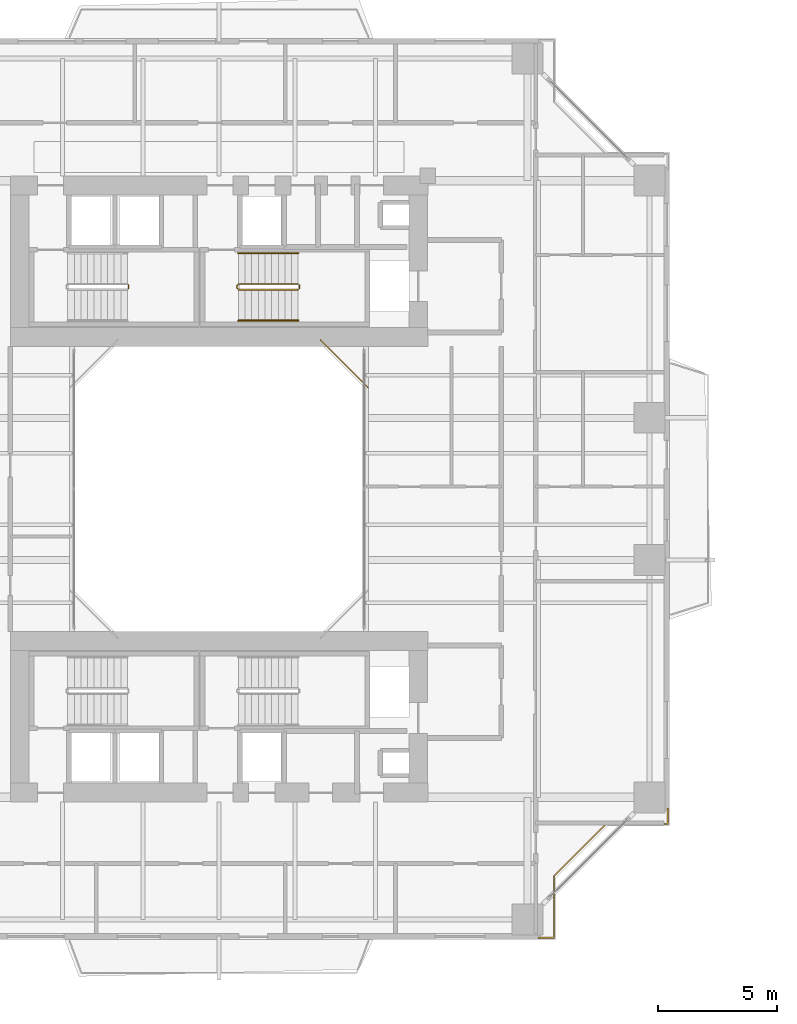
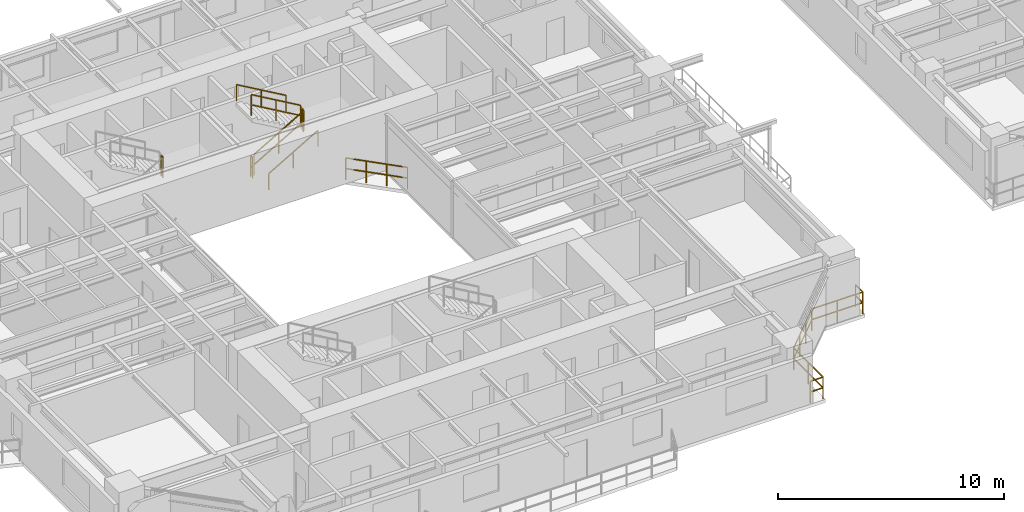
# One storey, part 21 of 23: 9 railings.
"""IFC4 building model written with IfcOpenShell, lengths in metres."""

from ifc_helpers import new_model, si_unit, direction, frame, origin, origin_2d, place, context, subcontext, project, spatial, rectangle, extrude, material, type_object, element, save


model = new_model("IFC4")

# Units and contexts
model_context = context("Model", 3, precision=1e-05, world=origin(), true_north=direction((0.0, 1.0)))
body_context = subcontext(model_context, "Body", "Model", "MODEL_VIEW")
ifc_project = project(units=[si_unit("LENGTHUNIT", "METRE"), si_unit("AREAUNIT", "SQUARE_METRE"), si_unit("VOLUMEUNIT", "CUBIC_METRE"), si_unit("PLANEANGLEUNIT", "RADIAN"), si_unit("MASSUNIT", "GRAM", prefix="KILO"), si_unit("THERMODYNAMICTEMPERATUREUNIT", "KELVIN"), si_unit("POWERUNIT", "WATT")], contexts=[model_context])

# Site, building, storey
site_placement = place(None, origin())
site = spatial("IfcSite", under=ifc_project, at=site_placement, CompositionType="ELEMENT")
building_placement = place(site_placement, origin())
building = spatial("IfcBuilding", under=site, at=building_placement, Name="Qiaomeng Ring Towers", CompositionType="ELEMENT")
storey_placement = place(building_placement, frame((0.0, 0.0, 39.25)))
storey = spatial("IfcBuildingStorey", under=building, at=storey_placement, Name="L10", CompositionType="ELEMENT", Elevation=39.25)

# Railings
ifc_material_1 = material(Name="Low-E pale-green laminated safety glass", Category="glass")
railing_type_1 = type_object("IfcRailingType", Name="ARC-RL-BAL1", PredefinedType="BALUSTRADE", material=ifc_material_1)
railing_1_placement = place(storey_placement, frame((25.280029296875, 27.280029296875, 0.0)))
element("IfcRailing", 1, at=railing_1_placement, inside=storey, type_object=railing_type_1, Name="L10 Balustrade ARC-BAL-WELL1-L10-2", PredefinedType="BALUSTRADE", context=body_context, shape_type="SweptSolid", body=[
    extrude(rectangle(XDim=0.048095703125, YDim=0.048095703125, at=origin_2d()), frame((0.0, 0.0, 1.17578125), z_axis=(-0.707106781187, 0.707106781187, 0.0), x_axis=(-0.707106781187, -0.707106781187, 0.0)), (0.0, 0.0, 1.0), 2.828369140625),
    extrude(rectangle(XDim=0.048095703125, YDim=0.048095703125, at=origin_2d()), frame((0.0, 0.0, 0.60009765625), z_axis=(-0.707106781187, 0.707106781187, 0.0), x_axis=(-0.707106781187, -0.707106781187, 0.0)), (0.0, 0.0, 1.0), 2.828369140625),
    extrude(rectangle(XDim=0.0419921875, YDim=0.0419921875, at=origin_2d()), origin(), (0.0, 0.0, 1.0), 1.15185546875),
    extrude(rectangle(XDim=0.0419921875, YDim=0.0419921875, at=origin_2d()), frame((-0.666748046875, 0.666748046875, 0.0)), (0.0, 0.0, 1.0), 1.15185546875),
    extrude(rectangle(XDim=0.0419921875, YDim=0.0419921875, at=origin_2d()), frame((-1.333251953125, 1.333251953125, 0.0)), (0.0, 0.0, 1.0), 1.15185546875),
    extrude(rectangle(XDim=0.0419921875, YDim=0.0419921875, at=origin_2d()), frame((-2.0, 2.0, 0.0)), (0.0, 0.0, 1.0), 1.15185546875),
])
railing_2_placement = place(storey_placement, frame((32.469970703125, 4.080078125, 0.0)))
element("IfcRailing", 2, at=railing_2_placement, inside=storey, type_object=railing_type_1, Name="L10 Balustrade ARC-BAL-NOTCH1-L10-SE", PredefinedType="BALUSTRADE", context=body_context, shape_type="SweptSolid", body=[
    extrude(rectangle(XDim=0.048095703125, YDim=0.048095703125, at=origin_2d()), frame((0.0, 0.0, 1.17578125), z_axis=(1.0, 0.0, 0.0), x_axis=(0.0, 1.0, 0.0)), (0.0, 0.0, 1.0), 0.650146484375),
    extrude(rectangle(XDim=0.048095703125, YDim=0.048095703125, at=origin_2d()), frame((0.0, 0.0, 0.60009765625), z_axis=(1.0, 0.0, 0.0), x_axis=(0.0, 1.0, 0.0)), (0.0, 0.0, 1.0), 0.650146484375),
    extrude(rectangle(XDim=0.048095703125, YDim=0.048095703125, at=origin_2d()), frame((0.650146484375, 0.0, 1.17578125), z_axis=(0.0, 1.0, 0.0), x_axis=(-1.0, 0.0, 0.0)), (0.0, 0.0, 1.0), 2.599853515625),
    extrude(rectangle(XDim=0.048095703125, YDim=0.048095703125, at=origin_2d()), frame((0.650146484375, 0.0, 0.60009765625), z_axis=(0.0, 1.0, 0.0), x_axis=(-1.0, 0.0, 0.0)), (0.0, 0.0, 1.0), 2.599853515625),
    extrude(rectangle(XDim=0.048095703125, YDim=0.048095703125, at=origin_2d()), frame((0.650146484375, 2.599853515625, 1.17578125), z_axis=(0.707106781187, 0.707106781187, 0.0), x_axis=(-0.707106781187, 0.707106781187, 0.0)), (0.0, 0.0, 1.0), 3.111083984375),
    extrude(rectangle(XDim=0.048095703125, YDim=0.048095703125, at=origin_2d()), frame((0.650146484375, 2.599853515625, 0.60009765625), z_axis=(0.707106781187, 0.707106781187, 0.0), x_axis=(-0.707106781187, 0.707106781187, 0.0)), (0.0, 0.0, 1.0), 3.111083984375),
    extrude(rectangle(XDim=0.048095703125, YDim=0.048095703125, at=origin_2d()), frame((2.85009765625, 4.7998046875, 1.17578125), z_axis=(1.0, 0.0, 0.0), x_axis=(0.0, 1.0, 0.0)), (0.0, 0.0, 1.0), 2.599853515625),
    extrude(rectangle(XDim=0.048095703125, YDim=0.048095703125, at=origin_2d()), frame((2.85009765625, 4.7998046875, 0.60009765625), z_axis=(1.0, 0.0, 0.0), x_axis=(0.0, 1.0, 0.0)), (0.0, 0.0, 1.0), 2.599853515625),
    extrude(rectangle(XDim=0.048095703125, YDim=0.048095703125, at=origin_2d()), frame((5.449951171875, 4.7998046875, 1.17578125), z_axis=(0.0, 1.0, 0.0), x_axis=(-1.0, 0.0, 0.0)), (0.0, 0.0, 1.0), 0.650146484375),
    extrude(rectangle(XDim=0.048095703125, YDim=0.048095703125, at=origin_2d()), frame((5.449951171875, 4.7998046875, 0.60009765625), z_axis=(0.0, 1.0, 0.0), x_axis=(-1.0, 0.0, 0.0)), (0.0, 0.0, 1.0), 0.650146484375),
    extrude(rectangle(XDim=0.0419921875, YDim=0.0419921875, at=origin_2d()), origin(), (0.0, 0.0, 1.0), 1.15185546875),
    extrude(rectangle(XDim=0.0419921875, YDim=0.0419921875, at=origin_2d()), frame((0.650146484375, 0.0, 0.0)), (0.0, 0.0, 1.0), 1.15185546875),
    extrude(rectangle(XDim=0.0419921875, YDim=0.0419921875, at=origin_2d()), frame((0.650146484375, 1.2998046875, 0.0)), (0.0, 0.0, 1.0), 1.15185546875),
    extrude(rectangle(XDim=0.0419921875, YDim=0.0419921875, at=origin_2d()), frame((0.650146484375, 2.599853515625, 0.0)), (0.0, 0.0, 1.0), 1.15185546875),
    extrude(rectangle(XDim=0.0419921875, YDim=0.0419921875, at=origin_2d()), frame((1.383544921875, 3.333251953125, 0.0)), (0.0, 0.0, 1.0), 1.15185546875),
    extrude(rectangle(XDim=0.0419921875, YDim=0.0419921875, at=origin_2d()), frame((2.11669921875, 4.06640625, 0.0)), (0.0, 0.0, 1.0), 1.15185546875),
    extrude(rectangle(XDim=0.0419921875, YDim=0.0419921875, at=origin_2d()), frame((2.85009765625, 4.7998046875, 0.0)), (0.0, 0.0, 1.0), 1.15185546875),
    extrude(rectangle(XDim=0.0419921875, YDim=0.0419921875, at=origin_2d()), frame((4.14990234375, 4.7998046875, 0.0)), (0.0, 0.0, 1.0), 1.15185546875),
    extrude(rectangle(XDim=0.0419921875, YDim=0.0419921875, at=origin_2d()), frame((5.449951171875, 4.7998046875, 0.0)), (0.0, 0.0, 1.0), 1.15185546875),
    extrude(rectangle(XDim=0.0419921875, YDim=0.0419921875, at=origin_2d()), frame((5.449951171875, 5.449951171875, 0.0)), (0.0, 0.0, 1.0), 1.15185546875),
])
ifc_material_2 = material(Name="Galvanised steel", Category="steel")
railing_type_2 = type_object("IfcRailingType", Name="ARC-RL-GUARD", PredefinedType="GUARDRAIL", material=ifc_material_2)
railing_3_placement = place(storey_placement, frame((15.18994140625, 31.449951171875, 1.625)))
element("IfcRailing", 3, at=railing_3_placement, inside=storey, type_object=railing_type_2, Name="L10 ST1 stair guard 2", PredefinedType="GUARDRAIL", context=body_context, shape_type="SweptSolid", body=[
    extrude(rectangle(XDim=0.048095703125, YDim=0.048095703125, at=origin_2d()), frame((0.0, 0.0, 1.1259765625), z_axis=(0.0, 1.0, 0.0), x_axis=(-1.0, 0.0, 0.0)), (0.0, 0.0, 1.0), 0.14013671875),
    extrude(rectangle(XDim=0.048095703125, YDim=0.048095703125, at=origin_2d()), frame((0.0, 0.0, 0.574951171875), z_axis=(0.0, 1.0, 0.0), x_axis=(-1.0, 0.0, 0.0)), (0.0, 0.0, 1.0), 0.14013671875),
    extrude(rectangle(XDim=0.0419921875, YDim=0.0419921875, at=origin_2d()), origin(), (0.0, 0.0, 1.0), 1.101806640625),
    extrude(rectangle(XDim=0.0419921875, YDim=0.0419921875, at=origin_2d()), frame((0.0, 0.14013671875, 0.0)), (0.0, 0.0, 1.0), 1.101806640625),
])
railing_4_placement = place(storey_placement, frame((19.820068359375, 31.39990234375, 0.16259765625)))
element("IfcRailing", 4, at=railing_4_placement, inside=storey, type_object=railing_type_2, Name="L10 ST2 stair guard 1", PredefinedType="GUARDRAIL", context=body_context, shape_type="SweptSolid", body=[
    extrude(rectangle(XDim=0.048095703125, YDim=0.048095703125, at=origin_2d()), frame((0.0, 0.0, 1.1259765625), z_axis=(0.864913338283, 0.0, 0.50192122615), x_axis=(0.0, 1.0, 0.0)), (0.0, 0.0, 1.0), 2.91357421875),
    extrude(rectangle(XDim=0.048095703125, YDim=0.048095703125, at=origin_2d()), frame((0.0, 0.0, 0.574951171875), z_axis=(0.864913338283, 0.0, 0.50192122615), x_axis=(0.0, 1.0, 0.0)), (0.0, 0.0, 1.0), 2.91357421875),
    extrude(rectangle(XDim=0.0419921875, YDim=0.0419921875, at=origin_2d()), origin(), (0.0, 0.0, 1.0), 1.101806640625),
    extrude(rectangle(XDim=0.0419921875, YDim=0.0419921875, at=origin_2d()), frame((1.260009765625, 0.0, 0.731201171875)), (0.0, 0.0, 1.0), 1.101806640625),
    extrude(rectangle(XDim=0.0419921875, YDim=0.0419921875, at=origin_2d()), frame((2.52001953125, 0.0, 1.46240234375)), (0.0, 0.0, 1.0), 1.101806640625),
])
railing_5_placement = place(storey_placement, frame((22.389892578125, 31.449951171875, 1.625)))
element("IfcRailing", 5, at=railing_5_placement, inside=storey, type_object=railing_type_2, Name="L10 ST2 stair guard 2", PredefinedType="GUARDRAIL", context=body_context, shape_type="SweptSolid", body=[
    extrude(rectangle(XDim=0.048095703125, YDim=0.048095703125, at=origin_2d()), frame((0.0, 0.0, 1.1259765625), z_axis=(0.0, 1.0, 0.0), x_axis=(-1.0, 0.0, 0.0)), (0.0, 0.0, 1.0), 0.14013671875),
    extrude(rectangle(XDim=0.048095703125, YDim=0.048095703125, at=origin_2d()), frame((0.0, 0.0, 0.574951171875), z_axis=(0.0, 1.0, 0.0), x_axis=(-1.0, 0.0, 0.0)), (0.0, 0.0, 1.0), 0.14013671875),
    extrude(rectangle(XDim=0.0419921875, YDim=0.0419921875, at=origin_2d()), origin(), (0.0, 0.0, 1.0), 1.101806640625),
    extrude(rectangle(XDim=0.0419921875, YDim=0.0419921875, at=origin_2d()), frame((0.0, 0.14013671875, 0.0)), (0.0, 0.0, 1.0), 1.101806640625),
])
railing_6_placement = place(storey_placement, frame((22.340087890625, 31.639892578125, 1.78759765625)))
element("IfcRailing", 6, at=railing_6_placement, inside=storey, type_object=railing_type_2, Name="L10 ST2 stair guard 3", PredefinedType="GUARDRAIL", context=body_context, shape_type="SweptSolid", body=[
    extrude(rectangle(XDim=0.048095703125, YDim=0.048095703125, at=origin_2d()), frame((0.0, 0.0, 1.1259765625), z_axis=(-0.864913338283, 0.0, 0.50192122615), x_axis=(0.0, -1.0, 0.0)), (0.0, 0.0, 1.0), 2.91357421875),
    extrude(rectangle(XDim=0.048095703125, YDim=0.048095703125, at=origin_2d()), frame((0.0, 0.0, 0.574951171875), z_axis=(-0.864913338283, 0.0, 0.50192122615), x_axis=(0.0, -1.0, 0.0)), (0.0, 0.0, 1.0), 2.91357421875),
    extrude(rectangle(XDim=0.0419921875, YDim=0.0419921875, at=origin_2d()), origin(), (0.0, 0.0, 1.0), 1.101806640625),
    extrude(rectangle(XDim=0.0419921875, YDim=0.0419921875, at=origin_2d()), frame((-1.260009765625, 0.0, 0.731201171875)), (0.0, 0.0, 1.0), 1.101806640625),
    extrude(rectangle(XDim=0.0419921875, YDim=0.0419921875, at=origin_2d()), frame((-2.52001953125, 0.0, 1.46240234375)), (0.0, 0.0, 1.0), 1.101806640625),
])
railing_7_placement = place(storey_placement, frame((19.77001953125, 31.449951171875, 0.0)))
element("IfcRailing", 7, at=railing_7_placement, inside=storey, type_object=railing_type_2, Name="L10 ST2 stair guard 4", PredefinedType="GUARDRAIL", context=body_context, shape_type="SweptSolid", body=[
    extrude(rectangle(XDim=0.048095703125, YDim=0.048095703125, at=origin_2d()), frame((0.0, 0.0, 1.1259765625), z_axis=(0.0, 1.0, 0.0), x_axis=(-1.0, 0.0, 0.0)), (0.0, 0.0, 1.0), 0.14013671875),
    extrude(rectangle(XDim=0.048095703125, YDim=0.048095703125, at=origin_2d()), frame((0.0, 0.0, 0.574951171875), z_axis=(0.0, 1.0, 0.0), x_axis=(-1.0, 0.0, 0.0)), (0.0, 0.0, 1.0), 0.14013671875),
    extrude(rectangle(XDim=0.0419921875, YDim=0.0419921875, at=origin_2d()), origin(), (0.0, 0.0, 1.0), 1.101806640625),
    extrude(rectangle(XDim=0.0419921875, YDim=0.0419921875, at=origin_2d()), frame((0.0, 0.14013671875, 0.0)), (0.0, 0.0, 1.0), 1.101806640625),
])
ifc_material_3 = material(Name="Stainless steel 316", Category="steel")
railing_type_3 = type_object("IfcRailingType", Name="ARC-RL-HAND", PredefinedType="HANDRAIL", material=ifc_material_3)
railing_8_placement = place(storey_placement, frame((19.820068359375, 30.10009765625, 0.16259765625)))
element("IfcRailing", 8, at=railing_8_placement, inside=storey, type_object=railing_type_3, Name="L10 ST2 stair handrail 1", PredefinedType="HANDRAIL", context=body_context, shape_type="SweptSolid", body=[
    extrude(rectangle(XDim=0.048095703125, YDim=0.048095703125, at=origin_2d()), frame((0.0, 0.0, 0.8759765625), z_axis=(0.864913338283, 0.0, 0.50192122615), x_axis=(0.0, 1.0, 0.0)), (0.0, 0.0, 1.0), 2.91357421875),
    extrude(rectangle(XDim=0.0419921875, YDim=0.0419921875, at=origin_2d()), origin(), (0.0, 0.0, 1.0), 0.851806640625),
    extrude(rectangle(XDim=0.0419921875, YDim=0.0419921875, at=origin_2d()), frame((1.260009765625, 0.0, 0.731201171875)), (0.0, 0.0, 1.0), 0.851806640625),
    extrude(rectangle(XDim=0.0419921875, YDim=0.0419921875, at=origin_2d()), frame((2.52001953125, 0.0, 1.46240234375)), (0.0, 0.0, 1.0), 0.851806640625),
])
railing_9_placement = place(storey_placement, frame((22.340087890625, 32.93994140625, 1.78759765625)))
element("IfcRailing", 9, at=railing_9_placement, inside=storey, type_object=railing_type_3, Name="L10 ST2 stair handrail 2", PredefinedType="HANDRAIL", context=body_context, shape_type="SweptSolid", body=[
    extrude(rectangle(XDim=0.048095703125, YDim=0.048095703125, at=origin_2d()), frame((0.0, 0.0, 0.8759765625), z_axis=(-0.864913338283, 0.0, 0.50192122615), x_axis=(0.0, -1.0, 0.0)), (0.0, 0.0, 1.0), 2.91357421875),
    extrude(rectangle(XDim=0.0419921875, YDim=0.0419921875, at=origin_2d()), origin(), (0.0, 0.0, 1.0), 0.851806640625),
    extrude(rectangle(XDim=0.0419921875, YDim=0.0419921875, at=origin_2d()), frame((-1.260009765625, 0.0, 0.731201171875)), (0.0, 0.0, 1.0), 0.851806640625),
    extrude(rectangle(XDim=0.0419921875, YDim=0.0419921875, at=origin_2d()), frame((-2.52001953125, 0.0, 1.46240234375)), (0.0, 0.0, 1.0), 0.851806640625),
])

save(model, "model.ifc")
